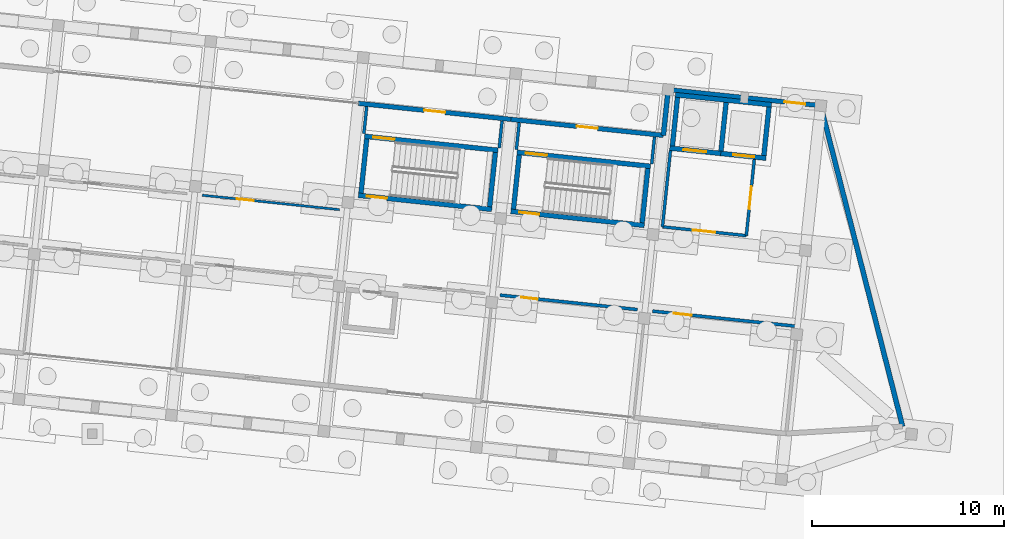
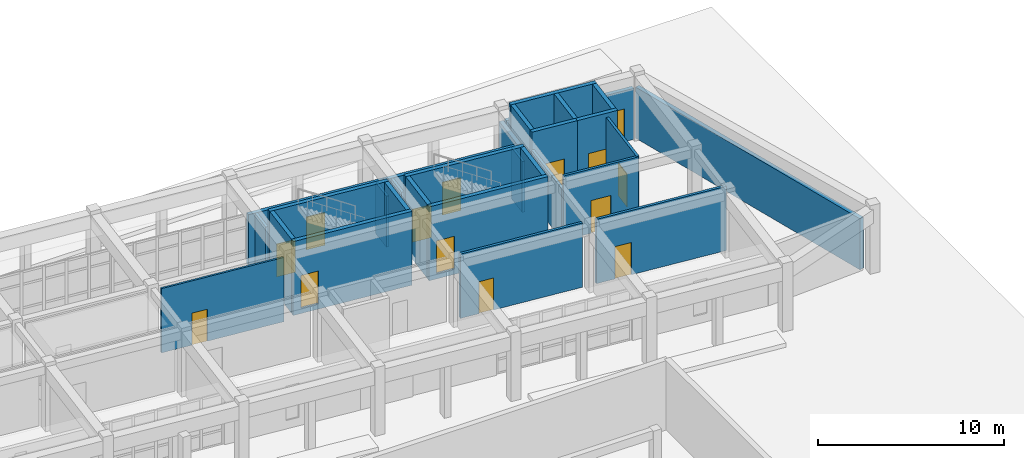
# One storey, part 130 of 154: 29 walls, 14 doors, 14 openings.
"""IFC4 building model written with IfcOpenShell, lengths in metres."""

from ifc_helpers import new_model, si_unit, direction, frame, frame_2d, origin, place, context, subcontext, project, spatial, rectangle, extrude, material, layer, layer_set, type_object, element, fill, save


model = new_model("IFC4")

# Units and contexts
model_context = context("Model", 3, precision=1e-05, world=origin(), true_north=direction((0.0, 1.0)))
body_context = subcontext(model_context, "Body", "Model", "MODEL_VIEW")
ifc_project = project(units=[si_unit("LENGTHUNIT", "METRE"), si_unit("AREAUNIT", "SQUARE_METRE"), si_unit("VOLUMEUNIT", "CUBIC_METRE"), si_unit("PLANEANGLEUNIT", "RADIAN"), si_unit("MASSUNIT", "GRAM", prefix="KILO")], contexts=[model_context])

# Site, building, storey
site_placement = place(None, origin())
site = spatial("IfcSite", under=ifc_project, at=site_placement, CompositionType="ELEMENT")
building_placement = place(site_placement, origin())
building = spatial("IfcBuilding", under=site, at=building_placement, Name="Kestramere Prow Commons", CompositionType="ELEMENT")
storey_placement = place(building_placement, origin())
storey = spatial("IfcBuildingStorey", under=building, at=storey_placement, Name="L00", CompositionType="ELEMENT", Elevation=0.0)

# Walls
ifc_material_1 = material(Name="Weathered Zinc-Titanium Standing-Seam Cladding")
ifc_layer_1 = layer(ifc_material_1, 0.260009765625)
ifc_layer_set_1 = layer_set([ifc_layer_1], Name="Weathered Zinc-Titanium Standing-Seam Cladding")
wall_type_1 = type_object("IfcWallType", Name="EW-PROW-260", PredefinedType="SOLIDWALL", material=ifc_layer_set_1)
wall_1_placement = place(storey_placement, frame((159.785888671875, 109.275146484375, 0.0), z_axis=(0.0, 0.0, 1.0), x_axis=(0.247387479575, -0.968916629514, 0.0)))
element("IfcWall", 1, at=wall_1_placement, inside=storey, type_object=wall_type_1, Name="Block B L00 PRW-N Wall", PredefinedType="SOLIDWALL", context=body_context, shape_type="SweptSolid", body=[
    extrude(rectangle(XDim=17.275146484375, YDim=0.260009765625, at=frame_2d((8.6376953125, 0.0))), origin(), (0.0, 0.0, 1.0), 3.35009765625),
])
wall_2_placement = place(storey_placement, frame((151.578857421875, 107.724609375, 0.0), z_axis=(0.0, 0.0, 1.0), x_axis=(0.104467683877, 0.994528281662, 0.0)))
element("IfcWall", 2, at=wall_2_placement, inside=storey, type_object=wall_type_1, Name="Block B L00 STP-N Wall", PredefinedType="SOLIDWALL", context=body_context, shape_type="SweptSolid", body=[
    extrude(rectangle(XDim=2.400146484375, YDim=0.260009765625, at=frame_2d((1.2001953125, 0.0))), origin(), (0.0, 0.0, 1.0), 3.35009765625),
])

# Wall, opening, door
ifc_material_2 = material(Name="Fluoropolymer Standing-Seam Zinc-Aluminium Cladding", Category="aluminium")
ifc_layer_2 = layer(ifc_material_2, 0.239990234375)
ifc_layer_set_2 = layer_set([ifc_layer_2], Name="Fluoropolymer Standing-Seam Zinc-Aluminium Cladding")
wall_type_2 = type_object("IfcWallType", Name="EW-SEAM-240", PredefinedType="SOLIDWALL", material=ifc_layer_set_2)
wall_3_placement = place(storey_placement, frame((135.66650390625, 109.39697265625, 0.0), z_axis=(0.0, 0.0, 1.0), x_axis=(0.994522329422, -0.104524333444, 0.0)))
wall_3 = element("IfcWall", 3, at=wall_3_placement, inside=storey, type_object=wall_type_2, Name="Block B L00 North Recessed Wall 4", PredefinedType="SOLIDWALL", context=body_context, shape_type="SweptSolid", body=[
    extrude(rectangle(XDim=7.999755859375, YDim=0.239990234375, at=frame_2d((4.0, 0.0))), origin(), (0.0, 0.0, 1.0), 3.35009765625),
])
opening_1_placement = place(wall_3_placement, frame((3.449951171875, 0.0, 0.0)))
opening_1 = element("IfcOpeningElement", 4, at=opening_1_placement, cuts=wall_3, Name="Opening ED-03", PredefinedType="OPENING", context=body_context, shape_type="SweptSolid", body=[
    extrude(rectangle(XDim=1.10009765625, YDim=2.14990234375, at=frame_2d((0.550048828125, 1.074951171875))), frame((0.0, 0.135009765625, 0.0), z_axis=(0.0, -1.0, 0.0), x_axis=(1.0, 0.0, 0.0)), (0.0, 0.0, 1.0), 0.27001953125),
])
ifc_material_3 = material(Name="Thermally-Broken Anodised Aluminium Glazed", Category="aluminium")
door_type_1 = type_object("IfcDoorType", Name="ED-STAIR-1100", OperationType="NOTDEFINED", PredefinedType="DOOR", material=ifc_material_3)
door_1_placement = place(opening_1_placement, origin())
door_1 = element("IfcDoor", 5, at=door_1_placement, inside=storey, type_object=door_type_1, Name="Block B Stair 1 Final Exit Door", OperationType="SINGLE_SWING_RIGHT", OverallHeight=2.14990234375, OverallWidth=1.10009765625, PredefinedType="DOOR", context=body_context, shape_type="SweptSolid", body=[
    extrude(rectangle(XDim=1.10009765625, YDim=2.14990234375, at=frame_2d((0.550048828125, 1.074951171875))), frame((0.0, 0.02490234375, 0.0), z_axis=(0.0, -1.0, 0.0), x_axis=(1.0, 0.0, 0.0)), (0.0, 0.0, 1.0), 0.050048828125),
])
fill(opening_1, door_1)

wall_4_placement = place(storey_placement, frame((143.62255859375, 108.560791015625, 0.0), z_axis=(0.0, 0.0, 1.0), x_axis=(0.994522662826, -0.104521161134, 0.0)))
wall_4 = element("IfcWall", 6, at=wall_4_placement, inside=storey, type_object=wall_type_2, Name="Block B L00 North Recessed Wall 5", PredefinedType="SOLIDWALL", context=body_context, shape_type="SweptSolid", body=[
    extrude(rectangle(XDim=8.0, YDim=0.239990234375, at=frame_2d((4.0, 0.0))), origin(), (0.0, 0.0, 1.0), 3.35009765625),
])
opening_2_placement = place(wall_4_placement, frame((3.449951171875, 0.0, 0.0)))
opening_2 = element("IfcOpeningElement", 7, at=opening_2_placement, cuts=wall_4, Name="Opening ED-03", PredefinedType="OPENING", context=body_context, shape_type="SweptSolid", body=[
    extrude(rectangle(XDim=1.10009765625, YDim=2.14990234375, at=frame_2d((0.550048828125, 1.074951171875))), frame((0.0, 0.135009765625, 0.0), z_axis=(0.0, -1.0, 0.0), x_axis=(1.0, 0.0, 0.0)), (0.0, 0.0, 1.0), 0.27001953125),
])
door_2_placement = place(opening_2_placement, origin())
door_2 = element("IfcDoor", 8, at=door_2_placement, inside=storey, type_object=door_type_1, Name="Block B Stair 2 Final Exit Door", OperationType="SINGLE_SWING_LEFT", OverallHeight=2.14990234375, OverallWidth=1.10009765625, PredefinedType="DOOR", context=body_context, shape_type="SweptSolid", body=[
    extrude(rectangle(XDim=1.10009765625, YDim=2.14990234375, at=frame_2d((0.550048828125, 1.074951171875))), frame((0.0, 0.02490234375, 0.0), z_axis=(0.0, -1.0, 0.0), x_axis=(1.0, 0.0, 0.0)), (0.0, 0.0, 1.0), 0.050048828125),
])
fill(opening_2, door_2)

wall_5_placement = place(storey_placement, frame((152.078369140625, 110.08544921875, 0.0), z_axis=(0.0, 0.0, 1.0), x_axis=(0.994522029009, -0.10452719175, 0.0)))
wall_5 = element("IfcWall", 9, at=wall_5_placement, inside=storey, type_object=wall_type_2, Name="Block B L00 North Recessed Wall 6", PredefinedType="SOLIDWALL", context=body_context, shape_type="SweptSolid", body=[
    extrude(rectangle(XDim=7.499755859375, YDim=0.239990234375, at=frame_2d((3.75, 0.0))), origin(), (0.0, 0.0, 1.0), 3.35009765625),
])
opening_3_placement = place(wall_5_placement, frame((5.85009765625, 0.0, 0.0)))
opening_3 = element("IfcOpeningElement", 10, at=opening_3_placement, cuts=wall_5, Name="Opening ED-04", PredefinedType="OPENING", context=body_context, shape_type="SweptSolid", body=[
    extrude(rectangle(XDim=1.10009765625, YDim=2.14990234375, at=frame_2d((0.550048828125, 1.074951171875))), frame((0.0, 0.135009765625, 0.0), z_axis=(0.0, -1.0, 0.0), x_axis=(1.0, 0.0, 0.0)), (0.0, 0.0, 1.0), 0.27001953125),
])
door_type_2 = type_object("IfcDoorType", Name="ED-FFL-1100", OperationType="NOTDEFINED", PredefinedType="DOOR", material=ifc_material_3)
door_3_placement = place(opening_3_placement, origin())
door_3 = element("IfcDoor", 11, at=door_3_placement, inside=storey, type_object=door_type_2, Name="Block B Fire-Fighting Lobby Exit Door", OperationType="SINGLE_SWING_RIGHT", OverallHeight=2.14990234375, OverallWidth=1.10009765625, PredefinedType="DOOR", context=body_context, shape_type="SweptSolid", body=[
    extrude(rectangle(XDim=1.10009765625, YDim=2.14990234375, at=frame_2d((0.550048828125, 1.074951171875))), frame((0.0, 0.02490234375, 0.0), z_axis=(0.0, -1.0, 0.0), x_axis=(1.0, 0.0, 0.0)), (0.0, 0.0, 1.0), 0.050048828125),
])
fill(opening_3, door_3)

# Wall
ifc_material_4 = material(Name="Concrete C40/50", Category="concrete")
ifc_layer_3 = layer(ifc_material_4, 0.25)
ifc_layer_set_3 = layer_set([ifc_layer_3], Name="Concrete C40/50")
wall_type_3 = type_object("IfcWallType", Name="W-CORE-250", PredefinedType="SHEAR", material=ifc_layer_set_3)
wall_6_placement = place(storey_placement, frame((152.203857421875, 109.845947265625, -0.35009765625), z_axis=(0.0, 0.0, 1.0), x_axis=(0.994522922189, -0.104518693261, 0.0)))
element("IfcWall", 12, at=wall_6_placement, inside=storey, type_object=wall_type_3, Name="Block B L00 Lift Core Back Wall", PredefinedType="SHEAR", context=body_context, shape_type="SweptSolid", body=[
    extrude(rectangle(XDim=5.050048828125, YDim=0.25, at=frame_2d((2.52490234375, 0.0))), origin(), (0.0, 0.0, 1.0), 4.85009765625),
])

# Wall, opening, door
wall_7_placement = place(storey_placement, frame((151.9111328125, 107.061279296875, -0.35009765625), z_axis=(0.0, 0.0, 1.0), x_axis=(0.994524939068, -0.104499500343, 0.0)))
wall_7 = element("IfcWall", 13, at=wall_7_placement, inside=storey, type_object=wall_type_3, Name="Block B L00 Fire Lift Shaft Front Wall", PredefinedType="SHEAR", context=body_context, shape_type="SweptSolid", body=[
    extrude(rectangle(XDim=2.675048828125, YDim=0.25, at=frame_2d((1.33740234375, 0.0))), origin(), (0.0, 0.0, 1.0), 4.85009765625),
])
opening_4_placement = place(wall_7_placement, frame((0.719970703125, 0.0, 0.35009765625)))
opening_4 = element("IfcOpeningElement", 14, at=opening_4_placement, cuts=wall_7, Name="Opening LD-02", PredefinedType="OPENING", context=body_context, shape_type="SweptSolid", body=[
    extrude(rectangle(XDim=1.199951171875, YDim=2.199951171875, at=frame_2d((0.60009765625, 1.10009765625))), frame((0.0, 0.139892578125, 0.0), z_axis=(0.0, -1.0, 0.0), x_axis=(1.0, 0.0, 0.0)), (0.0, 0.0, 1.0), 0.280029296875),
])
ifc_material_5 = material(Name="Brushed Stainless Steel 316", Category="steel")
door_type_3 = type_object("IfcDoorType", Name="LD-02", OperationType="DOUBLE_DOOR_SLIDING", PredefinedType="DOOR", material=ifc_material_5)
door_4_placement = place(opening_4_placement, origin())
door_4 = element("IfcDoor", 15, at=door_4_placement, inside=storey, type_object=door_type_3, Name="FL-B1 L00 Lift Landing Door", OperationType="DOUBLE_DOOR_SLIDING", OverallHeight=2.199951171875, OverallWidth=1.199951171875, PredefinedType="DOOR", context=body_context, shape_type="SweptSolid", body=[
    extrude(rectangle(XDim=1.199951171875, YDim=2.199951171875, at=frame_2d((0.60009765625, 1.10009765625))), frame((0.0, 0.02490234375, 0.0), z_axis=(0.0, -1.0, 0.0), x_axis=(1.0, 0.0, 0.0)), (0.0, 0.0, 1.0), 0.050048828125),
])
fill(opening_4, door_4)

wall_8_placement = place(storey_placement, frame((154.571533203125, 106.78173828125, -0.35009765625), z_axis=(0.0, 0.0, 1.0), x_axis=(0.994520650134, -0.1045403102, 0.0)))
wall_8 = element("IfcWall", 16, at=wall_8_placement, inside=storey, type_object=wall_type_3, Name="Block B L00 Passenger Lift Shaft Front Wall", PredefinedType="SHEAR", context=body_context, shape_type="SweptSolid", body=[
    extrude(rectangle(XDim=2.375, YDim=0.25, at=frame_2d((1.1875, 0.0))), origin(), (0.0, 0.0, 1.0), 4.85009765625),
])
opening_5_placement = place(wall_8_placement, frame((0.64990234375, 0.0, 0.35009765625)))
opening_5 = element("IfcOpeningElement", 17, at=opening_5_placement, cuts=wall_8, Name="Opening LD-01", PredefinedType="OPENING", context=body_context, shape_type="SweptSolid", body=[
    extrude(rectangle(XDim=1.10009765625, YDim=2.14990234375, at=frame_2d((0.550048828125, 1.074951171875))), frame((0.0, 0.139892578125, 0.0), z_axis=(0.0, -1.0, 0.0), x_axis=(1.0, 0.0, 0.0)), (0.0, 0.0, 1.0), 0.280029296875),
])
ifc_material_6 = material(Name="Brushed Stainless Steel 304", Category="steel")
door_type_4 = type_object("IfcDoorType", Name="LD-01", OperationType="DOUBLE_DOOR_SLIDING", PredefinedType="DOOR", material=ifc_material_6)
door_5_placement = place(opening_5_placement, origin())
door_5 = element("IfcDoor", 18, at=door_5_placement, inside=storey, type_object=door_type_4, Name="PL-B2 L00 Lift Landing Door", OperationType="DOUBLE_DOOR_SLIDING", OverallHeight=2.14990234375, OverallWidth=1.10009765625, PredefinedType="DOOR", context=body_context, shape_type="SweptSolid", body=[
    extrude(rectangle(XDim=1.10009765625, YDim=2.14990234375, at=frame_2d((0.550048828125, 1.074951171875))), frame((0.0, 0.02490234375, 0.0), z_axis=(0.0, -1.0, 0.0), x_axis=(1.0, 0.0, 0.0)), (0.0, 0.0, 1.0), 0.050048828125),
])
fill(opening_5, door_5)

# Walls
for number, where, z_axis, x_axis, name in (
    (19, (152.048583984375, 107.172607421875, -0.35009765625), (0.0, 0.0, 1.0), (0.104555197931, 0.994519085079, 0.0), "Block B L00 Lift Core Side Wall L"),
    (20, (154.584716796875, 106.906005859375, -0.35009765625), (0.0, 0.0, 1.0), (0.104555197931, 0.994519085079, 0.0), "Block B L00 Lift Core Side Wall M"),
):
    element("IfcWall", number, at=place(storey_placement, frame(where, z_axis=z_axis, x_axis=x_axis)), inside=storey, type_object=wall_type_3, Name=name, PredefinedType="SHEAR", context=body_context, shape_type="SweptSolid", body=[
        extrude(rectangle(XDim=2.5498046875, YDim=0.25, at=frame_2d((1.27490234375, 0.0))), origin(), (0.0, 0.0, 1.0), 4.85009765625),
    ])
wall_9_placement = place(storey_placement, frame((156.822265625, 106.670654296875, -0.35009765625), z_axis=(0.0, 0.0, 1.0), x_axis=(0.104545242946, 0.99452013161, 0.0)))
element("IfcWall", 21, at=wall_9_placement, inside=storey, type_object=wall_type_3, Name="Block B L00 Lift Core Side Wall R", PredefinedType="SHEAR", context=body_context, shape_type="SweptSolid", body=[
    extrude(rectangle(XDim=2.550048828125, YDim=0.25, at=frame_2d((1.27490234375, 0.0))), origin(), (0.0, 0.0, 1.0), 4.85009765625),
])

# Wall, opening, door
wall_10_placement = place(storey_placement, frame((135.988525390625, 107.678955078125, -0.35009765625), z_axis=(0.0, 0.0, 1.0), x_axis=(0.994522066748, -0.104526832686, 0.0)))
wall_10 = element("IfcWall", 22, at=wall_10_placement, inside=storey, type_object=wall_type_3, Name="ST-B1 L00 North Shaft Wall", PredefinedType="SHEAR", context=body_context, shape_type="SweptSolid", body=[
    extrude(rectangle(XDim=7.0, YDim=0.25, at=frame_2d((3.5, 0.0))), origin(), (0.0, 0.0, 1.0), 4.85009765625),
])
opening_6_placement = place(wall_10_placement, frame((0.449951171875, 0.0, 0.35009765625)))
opening_6 = element("IfcOpeningElement", 23, at=opening_6_placement, cuts=wall_10, Name="Opening ID-02", PredefinedType="OPENING", context=body_context, shape_type="SweptSolid", body=[
    extrude(rectangle(XDim=1.1201171875, YDim=2.14990234375, at=frame_2d((0.56005859375, 1.074951171875))), frame((0.0, 0.139892578125, 0.0), z_axis=(0.0, -1.0, 0.0), x_axis=(1.0, 0.0, 0.0)), (0.0, 0.0, 1.0), 0.280029296875),
])
ifc_material_7 = material(Name="Fire-Rated Timber and Steel Frame", Category="steel")
door_type_5 = type_object("IfcDoorType", Name="FD-ST-02", OperationType="NOTDEFINED", PredefinedType="DOOR", material=ifc_material_7)
door_6_placement = place(opening_6_placement, origin())
door_6 = element("IfcDoor", 24, at=door_6_placement, inside=storey, type_object=door_type_5, Name="ST-B1 L00 Discharge Vestibule Door", OperationType="SINGLE_SWING_RIGHT", OverallHeight=2.14990234375, OverallWidth=1.1201171875, PredefinedType="DOOR", context=body_context, shape_type="SweptSolid", body=[
    extrude(rectangle(XDim=1.1201171875, YDim=2.14990234375, at=frame_2d((0.56005859375, 1.074951171875))), frame((0.0, 0.02490234375, 0.0), z_axis=(0.0, -1.0, 0.0), x_axis=(1.0, 0.0, 0.0)), (0.0, 0.0, 1.0), 0.050048828125),
])
fill(opening_6, door_6)

wall_11_placement = place(storey_placement, frame((135.66455078125, 104.595947265625, -0.35009765625), z_axis=(0.0, 0.0, 1.0), x_axis=(0.994522066748, -0.104526832686, 0.0)))
wall_11 = element("IfcWall", 25, at=wall_11_placement, inside=storey, type_object=wall_type_3, Name="ST-B1 L00 Corridor Shaft Wall", PredefinedType="SHEAR", context=body_context, shape_type="SweptSolid", body=[
    extrude(rectangle(XDim=7.0, YDim=0.25, at=frame_2d((3.5, 0.0))), origin(), (0.0, 0.0, 1.0), 4.85009765625),
])
opening_7_placement = place(wall_11_placement, frame((0.449951171875, 0.0, 0.35009765625)))
opening_7 = element("IfcOpeningElement", 26, at=opening_7_placement, cuts=wall_11, Name="Opening ID-01", PredefinedType="OPENING", context=body_context, shape_type="SweptSolid", body=[
    extrude(rectangle(XDim=1.050048828125, YDim=2.14990234375, at=frame_2d((0.52490234375, 1.074951171875))), frame((0.0, 0.139892578125, 0.0), z_axis=(0.0, -1.0, 0.0), x_axis=(1.0, 0.0, 0.0)), (0.0, 0.0, 1.0), 0.280029296875),
])
door_type_6 = type_object("IfcDoorType", Name="FD-ST-01", OperationType="NOTDEFINED", PredefinedType="DOOR", material=ifc_material_7)
door_7_placement = place(opening_7_placement, origin())
door_7 = element("IfcDoor", 27, at=door_7_placement, inside=storey, type_object=door_type_6, Name="ST-B1 L00 Protected Stair Door", OperationType="SINGLE_SWING_LEFT", OverallHeight=2.14990234375, OverallWidth=1.050048828125, PredefinedType="DOOR", context=body_context, shape_type="SweptSolid", body=[
    extrude(rectangle(XDim=1.050048828125, YDim=2.14990234375, at=frame_2d((0.52490234375, 1.074951171875))), frame((0.0, 0.02490234375, 0.0), z_axis=(0.0, -1.0, 0.0), x_axis=(1.0, 0.0, 0.0)), (0.0, 0.0, 1.0), 0.050048828125),
])
fill(opening_7, door_7)

# Walls
for number, where, z_axis, x_axis, name in (
    (28, (135.802001953125, 104.707275390625, -0.35009765625), (0.0, 0.0, 1.0), (0.104515324063, 0.994523276267, 0.0), "ST-B1 L00 Near Shaft Wall"),
    (29, (142.514892578125, 104.001708984375, -0.35009765625), (0.0, 0.0, 1.0), (0.104515324063, 0.994523276267, 0.0), "ST-B1 L00 Far Shaft Wall"),
):
    element("IfcWall", number, at=place(storey_placement, frame(where, z_axis=z_axis, x_axis=x_axis)), inside=storey, type_object=wall_type_3, Name=name, PredefinedType="SHEAR", context=body_context, shape_type="SweptSolid", body=[
        extrude(rectangle(XDim=2.849853515625, YDim=0.25, at=frame_2d((1.4248046875, 0.0))), origin(), (0.0, 0.0, 1.0), 4.85009765625),
    ])

# Wall, opening, door
wall_12_placement = place(storey_placement, frame((143.94482421875, 106.8427734375, -0.35009765625), z_axis=(0.0, 0.0, 1.0), x_axis=(0.994522066748, -0.104526832686, 0.0)))
wall_12 = element("IfcWall", 30, at=wall_12_placement, inside=storey, type_object=wall_type_3, Name="ST-B2 L00 North Shaft Wall", PredefinedType="SHEAR", context=body_context, shape_type="SweptSolid", body=[
    extrude(rectangle(XDim=7.0, YDim=0.25, at=frame_2d((3.5, 0.0))), origin(), (0.0, 0.0, 1.0), 4.85009765625),
])
opening_8_placement = place(wall_12_placement, frame((0.449951171875, 0.0, 0.35009765625)))
opening_8 = element("IfcOpeningElement", 31, at=opening_8_placement, cuts=wall_12, Name="Opening ID-02", PredefinedType="OPENING", context=body_context, shape_type="SweptSolid", body=[
    extrude(rectangle(XDim=1.1201171875, YDim=2.14990234375, at=frame_2d((0.56005859375, 1.074951171875))), frame((0.0, 0.139892578125, 0.0), z_axis=(0.0, -1.0, 0.0), x_axis=(1.0, 0.0, 0.0)), (0.0, 0.0, 1.0), 0.280029296875),
])
door_8_placement = place(opening_8_placement, origin())
door_8 = element("IfcDoor", 32, at=door_8_placement, inside=storey, type_object=door_type_5, Name="ST-B2 L00 Discharge Vestibule Door", OperationType="SINGLE_SWING_RIGHT", OverallHeight=2.14990234375, OverallWidth=1.1201171875, PredefinedType="DOOR", context=body_context, shape_type="SweptSolid", body=[
    extrude(rectangle(XDim=1.1201171875, YDim=2.14990234375, at=frame_2d((0.56005859375, 1.074951171875))), frame((0.0, 0.02490234375, 0.0), z_axis=(0.0, -1.0, 0.0), x_axis=(1.0, 0.0, 0.0)), (0.0, 0.0, 1.0), 0.050048828125),
])
fill(opening_8, door_8)

wall_13_placement = place(storey_placement, frame((143.62060546875, 103.759765625, -0.35009765625), z_axis=(0.0, 0.0, 1.0), x_axis=(0.994522066748, -0.104526832686, 0.0)))
wall_13 = element("IfcWall", 33, at=wall_13_placement, inside=storey, type_object=wall_type_3, Name="ST-B2 L00 Corridor Shaft Wall", PredefinedType="SHEAR", context=body_context, shape_type="SweptSolid", body=[
    extrude(rectangle(XDim=7.0, YDim=0.25, at=frame_2d((3.5, 0.0))), origin(), (0.0, 0.0, 1.0), 4.85009765625),
])
opening_9_placement = place(wall_13_placement, frame((0.449951171875, 0.0, 0.35009765625)))
opening_9 = element("IfcOpeningElement", 34, at=opening_9_placement, cuts=wall_13, Name="Opening ID-01", PredefinedType="OPENING", context=body_context, shape_type="SweptSolid", body=[
    extrude(rectangle(XDim=1.050048828125, YDim=2.14990234375, at=frame_2d((0.52490234375, 1.074951171875))), frame((0.0, 0.139892578125, 0.0), z_axis=(0.0, -1.0, 0.0), x_axis=(1.0, 0.0, 0.0)), (0.0, 0.0, 1.0), 0.280029296875),
])
door_9_placement = place(opening_9_placement, origin())
door_9 = element("IfcDoor", 35, at=door_9_placement, inside=storey, type_object=door_type_6, Name="ST-B2 L00 Protected Stair Door", OperationType="SINGLE_SWING_LEFT", OverallHeight=2.14990234375, OverallWidth=1.050048828125, PredefinedType="DOOR", context=body_context, shape_type="SweptSolid", body=[
    extrude(rectangle(XDim=1.050048828125, YDim=2.14990234375, at=frame_2d((0.52490234375, 1.074951171875))), frame((0.0, 0.02490234375, 0.0), z_axis=(0.0, -1.0, 0.0), x_axis=(1.0, 0.0, 0.0)), (0.0, 0.0, 1.0), 0.050048828125),
])
fill(opening_9, door_9)

# Walls
for number, where, z_axis, x_axis, name in (
    (36, (143.758056640625, 103.87109375, -0.35009765625), (0.0, 0.0, 1.0), (0.104515324063, 0.994523276267, 0.0), "ST-B2 L00 Near Shaft Wall"),
    (37, (150.47119140625, 103.16552734375, -0.35009765625), (0.0, 0.0, 1.0), (0.104515324063, 0.994523276267, 0.0), "ST-B2 L00 Far Shaft Wall"),
):
    element("IfcWall", number, at=place(storey_placement, frame(where, z_axis=z_axis, x_axis=x_axis)), inside=storey, type_object=wall_type_3, Name=name, PredefinedType="SHEAR", context=body_context, shape_type="SweptSolid", body=[
        extrude(rectangle(XDim=2.849853515625, YDim=0.25, at=frame_2d((1.4248046875, 0.0))), origin(), (0.0, 0.0, 1.0), 4.85009765625),
    ])

# Wall, opening, door
ifc_material_8 = material(Name="Fire-Rated Calcium Silicate Wall")
ifc_layer_4 = layer(ifc_material_8, 0.155029296875)
ifc_layer_set_4 = layer_set([ifc_layer_4], Name="Fire-Rated Calcium Silicate Wall")
wall_type_4 = type_object("IfcWallType", Name="W-FIRE-150", PredefinedType="PARTITIONING", material=ifc_layer_set_4)
wall_14_placement = place(storey_placement, frame((151.52978515625, 102.95361328125, 0.0), z_axis=(0.0, 0.0, 1.0), x_axis=(0.994521251134, -0.104534592565, 0.0)))
wall_14 = element("IfcWall", 38, at=wall_14_placement, inside=storey, type_object=wall_type_4, Name="Interior Partition PW-B-L00-FFL-S", PredefinedType="PARTITIONING", context=body_context, shape_type="SweptSolid", body=[
    extrude(rectangle(XDim=4.400146484375, YDim=0.155029296875, at=frame_2d((2.2001953125, 0.0))), origin(), (0.0, 0.0, 1.0), 4.219970703125),
])
opening_10_placement = place(wall_14_placement, frame((1.60009765625, 0.0, 0.0)))
opening_10 = element("IfcOpeningElement", 39, at=opening_10_placement, cuts=wall_14, Name="Opening ID-03", PredefinedType="OPENING", context=body_context, shape_type="SweptSolid", body=[
    extrude(rectangle(XDim=1.179931640625, YDim=2.14990234375, at=frame_2d((0.58984375, 1.074951171875))), frame((0.0, 0.092529296875, 0.0), z_axis=(0.0, -1.0, 0.0), x_axis=(1.0, 0.0, 0.0)), (0.0, 0.0, 1.0), 0.18505859375),
])
ifc_material_9 = material(Name="Fire-Rated Glazed Smoke-Stop Door")
door_type_7 = type_object("IfcDoorType", Name="FD-LB-01", OperationType="NOTDEFINED", PredefinedType="DOOR", material=ifc_material_9)
door_10_placement = place(opening_10_placement, origin())
door_10 = element("IfcDoor", 40, at=door_10_placement, inside=storey, type_object=door_type_7, Name="Interior Door DR-B-L00-FFL", OperationType="SINGLE_SWING_LEFT", OverallHeight=2.14990234375, OverallWidth=1.179931640625, PredefinedType="DOOR", context=body_context, shape_type="SweptSolid", body=[
    extrude(rectangle(XDim=1.179931640625, YDim=2.14990234375, at=frame_2d((0.58984375, 1.074951171875))), frame((0.0, 0.02490234375, 0.0), z_axis=(0.0, -1.0, 0.0), x_axis=(1.0, 0.0, 0.0)), (0.0, 0.0, 1.0), 0.050048828125),
])
fill(opening_10, door_10)

# Wall
wall_15_placement = place(storey_placement, frame((151.52978515625, 102.95361328125, 0.0), z_axis=(0.0, 0.0, 1.0), x_axis=(0.104554517933, 0.994519156568, 0.0)))
element("IfcWall", 41, at=wall_15_placement, inside=storey, type_object=wall_type_4, Name="Interior Partition PW-B-L00-FFL-W", PredefinedType="PARTITIONING", context=body_context, shape_type="SweptSolid", body=[
    extrude(rectangle(XDim=4.0, YDim=0.155029296875, at=frame_2d((2.0, 0.0))), origin(), (0.0, 0.0, 1.0), 3.35009765625),
])

# Wall, opening, door
wall_16_placement = place(storey_placement, frame((155.90576171875, 102.49365234375, 0.0), z_axis=(0.0, 0.0, 1.0), x_axis=(0.104494148666, 0.99452550138, 0.0)))
wall_16 = element("IfcWall", 42, at=wall_16_placement, inside=storey, type_object=wall_type_4, Name="Interior Partition PW-B-L00-FFL-E", PredefinedType="PARTITIONING", context=body_context, shape_type="SweptSolid", body=[
    extrude(rectangle(XDim=4.0, YDim=0.155029296875, at=frame_2d((2.0, 0.0))), origin(), (0.0, 0.0, 1.0), 4.219970703125),
])
opening_11_placement = place(wall_16_placement, frame((1.39990234375, 0.0, 0.0)))
opening_11 = element("IfcOpeningElement", 43, at=opening_11_placement, cuts=wall_16, Name="Opening ID-03", PredefinedType="OPENING", context=body_context, shape_type="SweptSolid", body=[
    extrude(rectangle(XDim=1.179931640625, YDim=2.14990234375, at=frame_2d((0.58984375, 1.074951171875))), frame((0.0, 0.092529296875, 0.0), z_axis=(0.0, -1.0, 0.0), x_axis=(1.0, 0.0, 0.0)), (0.0, 0.0, 1.0), 0.18505859375),
])
door_11_placement = place(opening_11_placement, origin())
door_11 = element("IfcDoor", 44, at=door_11_placement, inside=storey, type_object=door_type_7, Name="Interior Door DR-B-L00-FFL-PL", OperationType="SINGLE_SWING_LEFT", OverallHeight=2.14990234375, OverallWidth=1.179931640625, PredefinedType="DOOR", context=body_context, shape_type="SweptSolid", body=[
    extrude(rectangle(XDim=1.179931640625, YDim=2.14990234375, at=frame_2d((0.58984375, 1.074951171875))), frame((0.0, 0.02490234375, 0.0), z_axis=(0.0, -1.0, 0.0), x_axis=(1.0, 0.0, 0.0)), (0.0, 0.0, 1.0), 0.050048828125),
])
fill(opening_11, door_11)

# Walls
for number, where, z_axis, x_axis, name in (
    (45, (135.952392578125, 107.8134765625, 0.0), (0.0, 0.0, 1.0), (0.104523702097, 0.994522395776, 0.0), "ST-B1 Discharge Vestibule Wall W"),
    (46, (143.013671875, 107.0712890625, 0.0), (0.0, 0.0, 1.0), (0.104523702097, 0.994522395776, 0.0), "ST-B1 Discharge Vestibule Wall E"),
):
    element("IfcWall", number, at=place(storey_placement, frame(where, z_axis=z_axis, x_axis=x_axis)), inside=storey, type_object=wall_type_4, Name=name, PredefinedType="PARTITIONING", context=body_context, shape_type="SweptSolid", body=[
        extrude(rectangle(XDim=1.420166015625, YDim=0.155029296875, at=frame_2d((0.7099609375, 0.0))), origin(), (0.0, 0.0, 1.0), 3.35009765625),
    ])
wall_17_placement = place(storey_placement, frame((143.90869140625, 106.977294921875, 0.0), z_axis=(0.0, 0.0, 1.0), x_axis=(0.104541575795, 0.994520517099, 0.0)))
element("IfcWall", 47, at=wall_17_placement, inside=storey, type_object=wall_type_4, Name="ST-B2 Discharge Vestibule Wall W", PredefinedType="PARTITIONING", context=body_context, shape_type="SweptSolid", body=[
    extrude(rectangle(XDim=1.419921875, YDim=0.155029296875, at=frame_2d((0.7099609375, 0.0))), origin(), (0.0, 0.0, 1.0), 3.35009765625),
])
wall_18_placement = place(storey_placement, frame((150.9697265625, 106.235107421875, 0.0), z_axis=(0.0, 0.0, 1.0), x_axis=(0.104523702097, 0.994522395776, 0.0)))
element("IfcWall", 48, at=wall_18_placement, inside=storey, type_object=wall_type_4, Name="ST-B2 Discharge Vestibule Wall E", PredefinedType="PARTITIONING", context=body_context, shape_type="SweptSolid", body=[
    extrude(rectangle(XDim=1.420166015625, YDim=0.155029296875, at=frame_2d((0.7099609375, 0.0))), origin(), (0.0, 0.0, 1.0), 3.35009765625),
])

# Wall, opening, door
ifc_material_10 = material(Name="Lightweight Blockwork and Plaster", Category="masonry")
ifc_layer_5 = layer(ifc_material_10, 0.1201171875)
ifc_layer_set_5 = layer_set([ifc_layer_5], Name="Lightweight Blockwork and Plaster")
wall_type_5 = type_object("IfcWallType", Name="W-PART-120", PredefinedType="PARTITIONING", material=ifc_layer_set_5)
wall_19_placement = place(storey_placement, frame((127.5205078125, 104.602294921875, 0.0), z_axis=(0.0, 0.0, 1.0), x_axis=(0.994520863291, -0.104538282357, 0.0)))
wall_19 = element("IfcWall", 49, at=wall_19_placement, inside=storey, type_object=wall_type_5, Name="Interior Partition PW-B-L00-CN-2", PredefinedType="PARTITIONING", context=body_context, shape_type="SweptSolid", body=[
    extrude(rectangle(XDim=7.2001953125, YDim=0.1201171875, at=frame_2d((3.60009765625, 0.0))), origin(), (0.0, 0.0, 1.0), 4.219970703125),
])
opening_12_placement = place(wall_19_placement, frame((1.800048828125, 0.0, 0.0)))
opening_12 = element("IfcOpeningElement", 50, at=opening_12_placement, cuts=wall_19, Name="Opening ID-08", PredefinedType="OPENING", context=body_context, shape_type="SweptSolid", body=[
    extrude(rectangle(XDim=0.89990234375, YDim=2.10009765625, at=frame_2d((0.449951171875, 1.050048828125))), frame((0.0, 0.074951171875, 0.0), z_axis=(0.0, -1.0, 0.0), x_axis=(1.0, 0.0, 0.0)), (0.0, 0.0, 1.0), 0.150146484375),
])
ifc_material_11 = material(Name="Engineered Timber Flush Door", Category="wood")
door_type_8 = type_object("IfcDoorType", Name="D-RM-01", OperationType="NOTDEFINED", PredefinedType="DOOR", material=ifc_material_11)
door_12_placement = place(opening_12_placement, origin())
door_12 = element("IfcDoor", 51, at=door_12_placement, inside=storey, type_object=door_type_8, Name="Interior Door DR-B-L00-N-2", OperationType="SINGLE_SWING_RIGHT", OverallHeight=2.10009765625, OverallWidth=0.89990234375, PredefinedType="DOOR", context=body_context, shape_type="SweptSolid", body=[
    extrude(rectangle(XDim=0.89990234375, YDim=2.10009765625, at=frame_2d((0.449951171875, 1.050048828125))), frame((0.0, 0.02490234375, 0.0), z_axis=(0.0, -1.0, 0.0), x_axis=(1.0, 0.0, 0.0)), (0.0, 0.0, 1.0), 0.050048828125),
])
fill(opening_12, door_12)

ifc_material_12 = material(Name="Waterproof Sanitary Masonry Wall", Category="masonry")
ifc_layer_6 = layer(ifc_material_12, 0.1650390625)
ifc_layer_set_6 = layer_set([ifc_layer_6], Name="Waterproof Sanitary Masonry Wall")
wall_type_6 = type_object("IfcWallType", Name="W-PLUMB-150", PredefinedType="PLUMBINGWALL", material=ifc_layer_set_6)
wall_20_placement = place(storey_placement, frame((143.060791015625, 99.389404296875, 0.0), z_axis=(0.0, 0.0, 1.0), x_axis=(0.994520863291, -0.104538282357, 0.0)))
wall_20 = element("IfcWall", 52, at=wall_20_placement, inside=storey, type_object=wall_type_6, Name="Interior Partition PW-B-L00-CS-4", PredefinedType="PLUMBINGWALL", context=body_context, shape_type="SweptSolid", body=[
    extrude(rectangle(XDim=7.2001953125, YDim=0.1650390625, at=frame_2d((3.60009765625, 0.0))), origin(), (0.0, 0.0, 1.0), 4.219970703125),
])
opening_13_placement = place(wall_20_placement, frame((1.10009765625, 0.0, 0.0)))
opening_13 = element("IfcOpeningElement", 53, at=opening_13_placement, cuts=wall_20, Name="Opening ID-12", PredefinedType="OPENING", context=body_context, shape_type="SweptSolid", body=[
    extrude(rectangle(XDim=0.860107421875, YDim=2.10009765625, at=frame_2d((0.43017578125, 1.050048828125))), frame((0.0, 0.097412109375, 0.0), z_axis=(0.0, -1.0, 0.0), x_axis=(1.0, 0.0, 0.0)), (0.0, 0.0, 1.0), 0.195068359375),
])
ifc_material_13 = material(Name="Moisture-Resistant Timber WC Door", Category="wood")
door_type_9 = type_object("IfcDoorType", Name="D-WC-01", OperationType="NOTDEFINED", PredefinedType="DOOR", material=ifc_material_13)
door_13_placement = place(opening_13_placement, origin())
door_13 = element("IfcDoor", 54, at=door_13_placement, inside=storey, type_object=door_type_9, Name="Interior Door DR-B-L00-S-4", OperationType="SINGLE_SWING_LEFT", OverallHeight=2.10009765625, OverallWidth=0.860107421875, PredefinedType="DOOR", context=body_context, shape_type="SweptSolid", body=[
    extrude(rectangle(XDim=0.860107421875, YDim=2.10009765625, at=frame_2d((0.43017578125, 1.050048828125))), frame((0.0, 0.02490234375, 0.0), z_axis=(0.0, -1.0, 0.0), x_axis=(1.0, 0.0, 0.0)), (0.0, 0.0, 1.0), 0.050048828125),
])
fill(opening_13, door_13)

wall_21_placement = place(storey_placement, frame((151.01708984375, 98.55322265625, 0.0), z_axis=(0.0, 0.0, 1.0), x_axis=(0.994519433956, -0.104551879393, 0.0)))
wall_21 = element("IfcWall", 55, at=wall_21_placement, inside=storey, type_object=wall_type_6, Name="Interior Partition PW-B-L00-CS-5", PredefinedType="PLUMBINGWALL", context=body_context, shape_type="SweptSolid", body=[
    extrude(rectangle(XDim=7.64990234375, YDim=0.1650390625, at=frame_2d((3.824951171875, 0.0))), origin(), (0.0, 0.0, 1.0), 4.219970703125),
])
opening_14_placement = place(wall_21_placement, frame((1.10009765625, 0.0, 0.0)))
opening_14 = element("IfcOpeningElement", 56, at=opening_14_placement, cuts=wall_21, Name="Opening ID-13", PredefinedType="OPENING", context=body_context, shape_type="SweptSolid", body=[
    extrude(rectangle(XDim=0.9599609375, YDim=2.1201171875, at=frame_2d((0.47998046875, 1.06005859375))), frame((0.0, 0.097412109375, 0.0), z_axis=(0.0, -1.0, 0.0), x_axis=(1.0, 0.0, 0.0)), (0.0, 0.0, 1.0), 0.195068359375),
])
ifc_material_14 = material(Name="Accessible Wide-Leaf Timber Door", Category="wood")
door_type_10 = type_object("IfcDoorType", Name="D-ACC-01", OperationType="NOTDEFINED", PredefinedType="DOOR", material=ifc_material_14)
door_14_placement = place(opening_14_placement, origin())
door_14 = element("IfcDoor", 57, at=door_14_placement, inside=storey, type_object=door_type_10, Name="Interior Door DR-B-L00-S-5", OperationType="SINGLE_SWING_RIGHT", OverallHeight=2.1201171875, OverallWidth=0.9599609375, PredefinedType="DOOR", context=body_context, shape_type="SweptSolid", body=[
    extrude(rectangle(XDim=0.9599609375, YDim=2.1201171875, at=frame_2d((0.47998046875, 1.06005859375))), frame((0.0, 0.02490234375, 0.0), z_axis=(0.0, -1.0, 0.0), x_axis=(1.0, 0.0, 0.0)), (0.0, 0.0, 1.0), 0.050048828125),
])
fill(opening_14, door_14)

save(model, "model.ifc")
